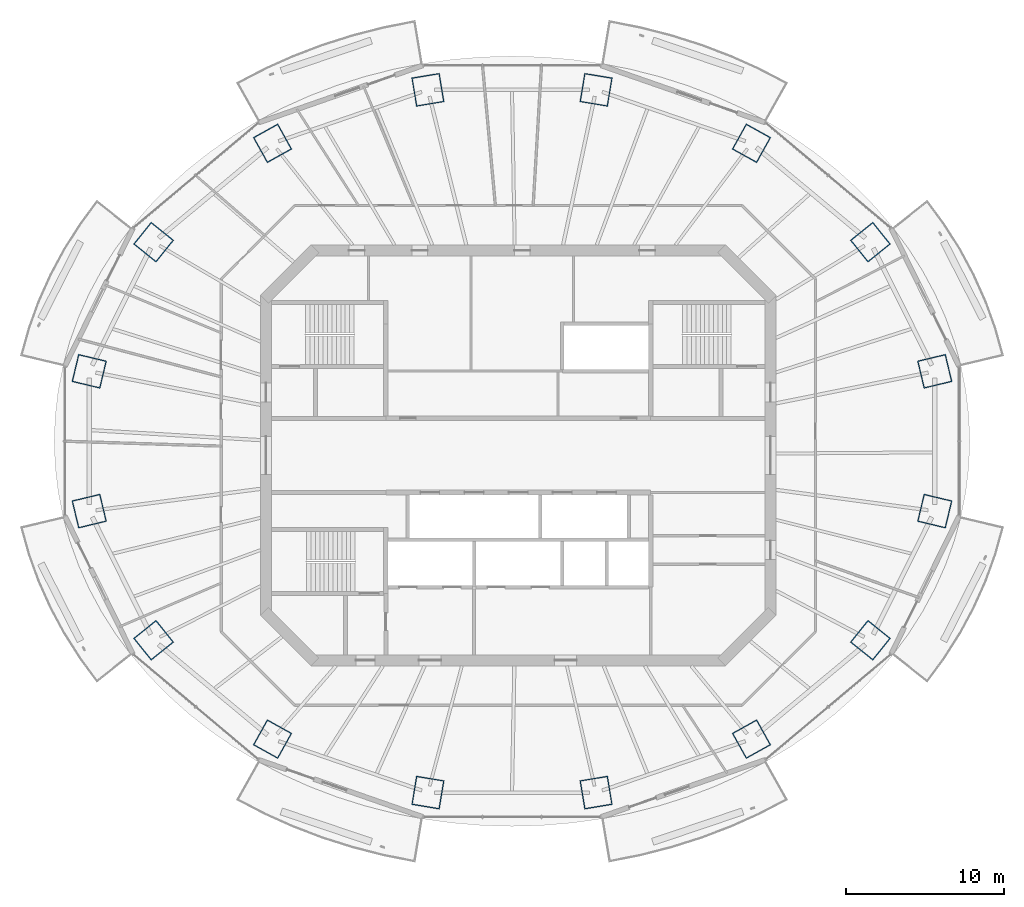
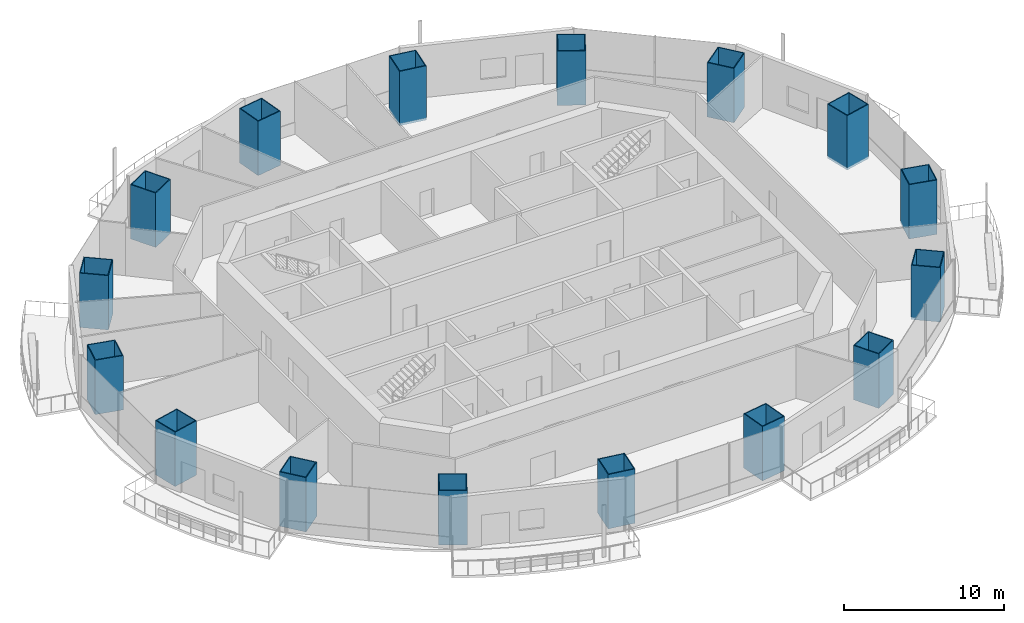
# One storey, part 1 of 16: 16 columns.
"""IFC4 building model written with IfcOpenShell, lengths in metres."""

from ifc_helpers import new_model, si_unit, direction, frame, origin, origin_2d, place, context, subcontext, project, spatial, rectangle, hollow_rectangle, extrude, material, material_profile, profile_set, type_object, element, save


model = new_model("IFC4")

# Units and contexts
model_context = context("Model", 3, precision=1e-05, world=origin(), true_north=direction((0.0, 1.0)))
body_context = subcontext(model_context, "Body", "Model", "MODEL_VIEW")
ifc_project = project(units=[si_unit("LENGTHUNIT", "METRE"), si_unit("AREAUNIT", "SQUARE_METRE"), si_unit("VOLUMEUNIT", "CUBIC_METRE"), si_unit("PLANEANGLEUNIT", "RADIAN"), si_unit("MASSUNIT", "GRAM", prefix="KILO")], contexts=[model_context])

# Site, building, storey
site_placement = place(None, origin())
site = spatial("IfcSite", under=ifc_project, at=site_placement, CompositionType="ELEMENT")
building_placement = place(site_placement, origin())
building = spatial("IfcBuilding", under=site, at=building_placement, Name="Marenthal Gate Tower", CompositionType="ELEMENT")
storey_placement = place(building_placement, frame((0.0, 0.0, 288.64990234375)))
storey = spatial("IfcBuildingStorey", under=building, at=storey_placement, Name="L64", CompositionType="ELEMENT", Elevation=288.64990234375)

# Columns
ifc_material_1 = material(Name="Steel S460", Category="steel")
ifc_material_profile_1 = material_profile(ifc_material_1, hollow_rectangle(XDim=1.800048828125, YDim=1.85009765625, WallThickness=0.06005859375, at=origin_2d()), Name="CFT BOX 1850X1800X60")
ifc_material_2 = material(Name="Concrete 70 MPa", Category="concrete")
ifc_material_profile_2 = material_profile(ifc_material_2, rectangle(XDim=1.679931640625, YDim=1.72998046875, at=origin_2d()), Name="CFT BOX 1850X1800X60 INFILL")
ifc_profile_set = profile_set([ifc_material_profile_1, ifc_material_profile_2], Name="Steel S460 shell, Concrete 70 MPa infill")
column_type = type_object("IfcColumnType", Name="CFT BOX 1850X1800X60", PredefinedType="COLUMN", material=ifc_profile_set)
for number, where, z_axis, x_axis, name in (
    (1, (26.41259765625, 5.3330078125, -0.179931640625), (0.0, 0.0, 1.0), (0.23273930643, -0.972539158719, 0.0), "COL-L64-01"),
    (2, (22.330810546875, 13.524169921875, -0.179931640625), (0.0, 0.0, 1.0), (0.626539879793, -0.779389362918, 0.0), "COL-L64-02"),
    (3, (14.7880859375, 19.79345703125, -0.179931640625), (0.0, 0.0, 1.0), (0.874221721285, -0.485526911751, 0.0), "COL-L64-03"),
    (4, (4.933349609375, 23.186279296875, -0.179931640625), (0.0, 0.0, 1.0), (0.986606346878, -0.163119331471, 0.0), "COL-L64-04"),
    (5, (-5.7333984375, 23.186279296875, -0.179931640625), (0.0, 0.0, 1.0), (0.986606346878, 0.163119331471, 0.0), "COL-L64-05"),
    (6, (-15.588134765625, 19.79345703125, -0.179931640625), (0.0, 0.0, 1.0), (0.874221721285, 0.485526911751, 0.0), "COL-L64-06"),
    (7, (-23.130615234375, 13.524169921875, -0.179931640625), (0.0, 0.0, 1.0), (0.626539879793, 0.779389362918, 0.0), "COL-L64-07"),
    (8, (-27.212646484375, 5.3330078125, -0.179931640625), (0.0, 0.0, 1.0), (0.23273930643, 0.972539158719, 0.0), "COL-L64-08"),
    (9, (-27.212646484375, -3.532958984375, -0.179931640625), (0.0, 0.0, 1.0), (-0.23273930643, 0.972539158719, 0.0), "COL-L64-09"),
    (10, (-23.130615234375, -11.72412109375, -0.179931640625), (0.0, 0.0, 1.0), (-0.626539879793, 0.779389362918, 0.0), "COL-L64-10"),
    (11, (-15.588134765625, -17.993408203125, -0.179931640625), (0.0, 0.0, 1.0), (-0.874221721285, 0.485526911751, 0.0), "COL-L64-11"),
    (12, (-5.7333984375, -21.386474609375, -0.179931640625), (0.0, 0.0, 1.0), (-0.986606346878, 0.163119331471, 0.0), "COL-L64-12"),
    (13, (4.933349609375, -21.386474609375, -0.179931640625), (0.0, 0.0, 1.0), (-0.986606346878, -0.163119331471, 0.0), "COL-L64-13"),
    (14, (14.7880859375, -17.993408203125, -0.179931640625), (0.0, 0.0, 1.0), (-0.874221721285, -0.485526911751, 0.0), "COL-L64-14"),
    (15, (22.330810546875, -11.72412109375, -0.179931640625), (0.0, 0.0, 1.0), (-0.626539879793, -0.779389362918, 0.0), "COL-L64-15"),
    (16, (26.41259765625, -3.532958984375, -0.179931640625), (0.0, 0.0, 1.0), (-0.23273930643, -0.972539158719, 0.0), "COL-L64-16"),
):
    element("IfcColumn", number, at=place(storey_placement, frame(where, z_axis=z_axis, x_axis=x_axis)), inside=storey, type_object=column_type, Name=name, PredefinedType="COLUMN", context=body_context, shape_type="SweptSolid", body=[
        extrude(hollow_rectangle(XDim=1.800048828125, YDim=1.85009765625, WallThickness=0.06005859375, at=origin_2d()), origin(), (0.0, 0.0, 1.0), 4.150146484375),
    ])

save(model, "model.ifc")
